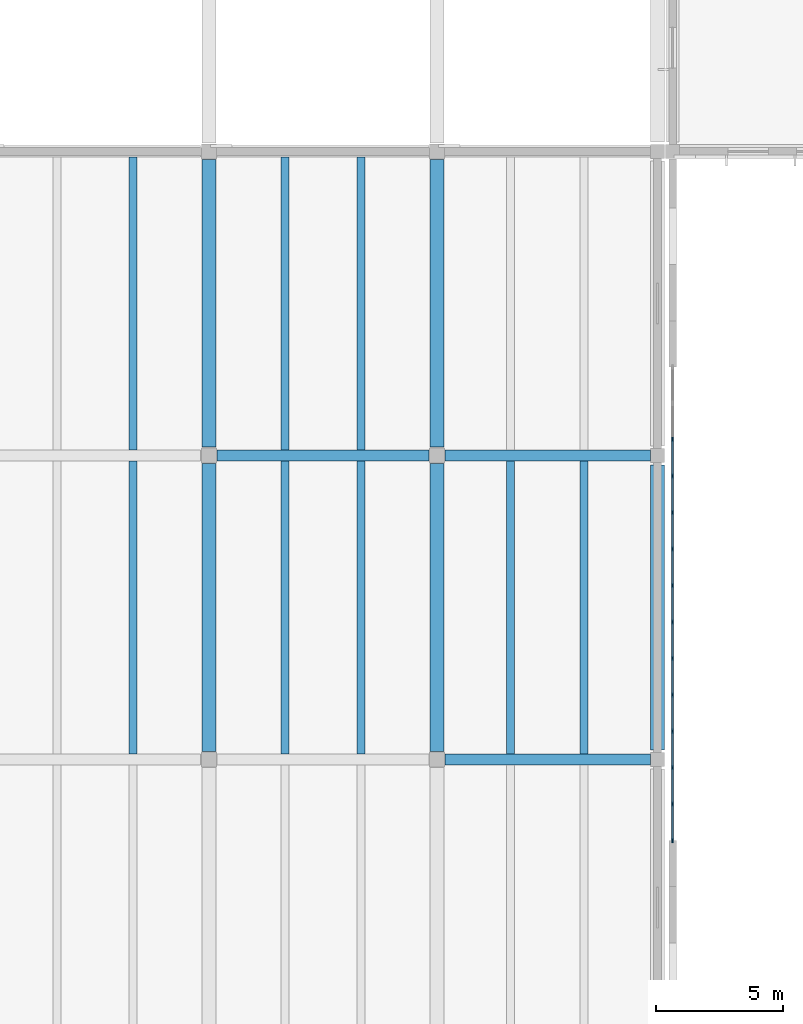
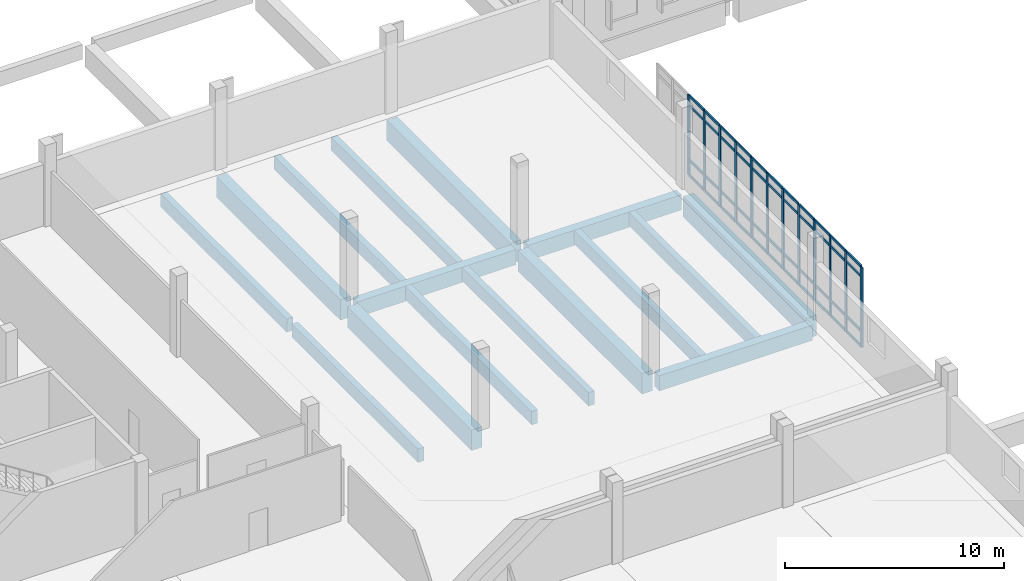
# One storey, part 10 of 63: 56 members, 16 beams, 1 element without a shape of its own.
"""IFC4 building model written with IfcOpenShell, lengths in metres."""

from ifc_helpers import new_model, si_unit, direction, frame, origin, origin_2d, place, context, subcontext, project, spatial, rectangle, extrude, material, layer, layer_set, material_profile, profile_set, type_object, element, aggregate, save


model = new_model("IFC4")

# Units and contexts
model_context = context("Model", 3, precision=1e-05, world=origin(), true_north=direction((0.0, 1.0)))
body_context = subcontext(model_context, "Body", "Model", "MODEL_VIEW")
ifc_project = project(units=[si_unit("LENGTHUNIT", "METRE"), si_unit("AREAUNIT", "SQUARE_METRE"), si_unit("VOLUMEUNIT", "CUBIC_METRE"), si_unit("PLANEANGLEUNIT", "RADIAN"), si_unit("MASSUNIT", "GRAM", prefix="KILO")], contexts=[model_context])

# Site, building, storey
site_placement = place(None, origin())
site = spatial("IfcSite", under=ifc_project, at=site_placement, CompositionType="ELEMENT")
building_placement = place(site_placement, origin())
building = spatial("IfcBuilding", under=site, at=building_placement, Name="Zacnel Wholesale Market", CompositionType="ELEMENT")
storey_placement = place(building_placement, frame((0.0, 0.0, 11.199951171875)))
storey = spatial("IfcBuildingStorey", under=building, at=storey_placement, Name="L03", CompositionType="ELEMENT", Elevation=11.199951171875)

# Beams
ifc_material_1 = material(Name="Precast concrete C45/55", Category="concrete")
ifc_material_profile_1 = material_profile(ifc_material_1, rectangle(XDim=0.320068359375, YDim=0.75, at=origin_2d()), Name="DT RIB 320x750")
ifc_profile_set_1 = profile_set([ifc_material_profile_1], Name="Precast concrete C45/55")
beam_type_1 = type_object("IfcBeamType", Name="BM-DT750", PredefinedType="JOIST", material=ifc_profile_set_1)
for number, where, z_axis, x_axis, name in (
    (1, (51.0, 108.22509765625, -0.675048828125), (0.0, 1.0, 0.0), (-1.0, 0.0, 0.0), "Precast secondary joist L03-0588"),
    (2, (57.0, 108.22509765625, -0.675048828125), (0.0, 1.0, 0.0), (-1.0, 0.0, 0.0), "Precast secondary joist L03-0589"),
    (3, (60.0, 108.22509765625, -0.675048828125), (0.0, 1.0, 0.0), (-1.0, 0.0, 0.0), "Precast secondary joist L03-0590"),
    (4, (65.89990234375, 108.22509765625, -0.675048828125), (0.0, 1.0, 0.0), (-1.0, 0.0, 0.0), "Precast secondary joist L03-0591"),
    (5, (68.800048828125, 108.22509765625, -0.675048828125), (0.0, 1.0, 0.0), (-1.0, 0.0, 0.0), "Precast secondary joist L03-0592"),
    (6, (51.0, 120.22509765625, -0.675048828125), (0.0, 1.0, 0.0), (-1.0, 0.0, 0.0), "Precast secondary joist L03-0600"),
    (7, (57.0, 120.22509765625, -0.675048828125), (0.0, 1.0, 0.0), (-1.0, 0.0, 0.0), "Precast secondary joist L03-0601"),
    (8, (60.0, 120.22509765625, -0.675048828125), (0.0, 1.0, 0.0), (-1.0, 0.0, 0.0), "Precast secondary joist L03-0602"),
):
    element("IfcBeam", number, at=place(storey_placement, frame(where, z_axis=z_axis, x_axis=x_axis)), inside=storey, type_object=beam_type_1, Name=name, PredefinedType="JOIST", context=body_context, shape_type="SweptSolid", body=[
        extrude(rectangle(XDim=0.320068359375, YDim=0.75, at=origin_2d()), origin(), (0.0, 0.0, 1.0), 11.5498046875),
    ])
ifc_material_2 = material(Name="Precast concrete C45/55", Category="concrete")
ifc_material_profile_2 = material_profile(ifc_material_2, rectangle(XDim=0.550048828125, YDim=1.14990234375, at=origin_2d()), Name="PG 550x1150")
ifc_profile_set_2 = profile_set([ifc_material_profile_2], Name="Precast concrete C45/55")
beam_type_2 = type_object("IfcBeamType", Name="BM-PG1150", PredefinedType="T_BEAM", material=ifc_profile_set_2)
for number, where, z_axis, x_axis, name in (
    (9, (54.0, 108.324951171875, -0.875), (0.0, 1.0, 0.0), (-1.0, 0.0, 0.0), "Precast girder Y-0856"),
    (10, (54.0, 120.324951171875, -0.875), (0.0, 1.0, 0.0), (-1.0, 0.0, 0.0), "Precast girder Y-0857"),
    (11, (63.0, 108.324951171875, -0.875), (0.0, 1.0, 0.0), (-1.0, 0.0, 0.0), "Precast girder Y-0868"),
    (12, (63.0, 120.324951171875, -0.875), (0.0, 1.0, 0.0), (-1.0, 0.0, 0.0), "Precast girder Y-0869"),
):
    element("IfcBeam", number, at=place(storey_placement, frame(where, z_axis=z_axis, x_axis=x_axis)), inside=storey, type_object=beam_type_2, Name=name, PredefinedType="T_BEAM", context=body_context, shape_type="SweptSolid", body=[
        extrude(rectangle(XDim=0.550048828125, YDim=1.14990234375, at=origin_2d()), origin(), (0.0, 0.0, 1.0), 11.35009765625),
    ])
beam_1_placement = place(storey_placement, frame((71.699951171875, 108.375, -0.875), z_axis=(0.0, 1.0, 0.0), x_axis=(-1.0, 0.0, 0.0)))
element("IfcBeam", 13, at=beam_1_placement, inside=storey, type_object=beam_type_2, Name="Precast girder Y-0880", PredefinedType="T_BEAM", context=body_context, shape_type="SweptSolid", body=[
    extrude(rectangle(XDim=0.550048828125, YDim=1.14990234375, at=origin_2d()), origin(), (0.0, 0.0, 1.0), 11.25),
])
ifc_material_3 = material(Name="Precast concrete C45/55", Category="concrete")
ifc_material_profile_3 = material_profile(ifc_material_3, rectangle(XDim=0.449951171875, YDim=0.85009765625, at=origin_2d()), Name="PG 450x850")
ifc_profile_set_3 = profile_set([ifc_material_profile_3], Name="Precast concrete C45/55")
beam_type_3 = type_object("IfcBeamType", Name="BM-PG850", PredefinedType="BEAM", material=ifc_profile_set_3)
beam_2_placement = place(storey_placement, frame((63.324951171875, 108.0, -0.724853515625), z_axis=(1.0, 0.0, 0.0), x_axis=(0.0, 1.0, 0.0)))
element("IfcBeam", 14, at=beam_2_placement, inside=storey, type_object=beam_type_3, Name="Precast girder X-0754", PredefinedType="BEAM", context=body_context, shape_type="SweptSolid", body=[
    extrude(rectangle(XDim=0.449951171875, YDim=0.85009765625, at=origin_2d()), origin(), (0.0, 0.0, 1.0), 8.10009765625),
])
beam_3_placement = place(storey_placement, frame((54.324951171875, 120.0, -0.724853515625), z_axis=(1.0, 0.0, 0.0), x_axis=(0.0, 1.0, 0.0)))
element("IfcBeam", 15, at=beam_3_placement, inside=storey, type_object=beam_type_3, Name="Precast girder X-0759", PredefinedType="BEAM", context=body_context, shape_type="SweptSolid", body=[
    extrude(rectangle(XDim=0.449951171875, YDim=0.85009765625, at=origin_2d()), origin(), (0.0, 0.0, 1.0), 8.35009765625),
])
beam_4_placement = place(storey_placement, frame((63.324951171875, 120.0, -0.724853515625), z_axis=(1.0, 0.0, 0.0), x_axis=(0.0, 1.0, 0.0)))
element("IfcBeam", 16, at=beam_4_placement, inside=storey, type_object=beam_type_3, Name="Precast girder X-0760", PredefinedType="BEAM", context=body_context, shape_type="SweptSolid", body=[
    extrude(rectangle(XDim=0.449951171875, YDim=0.85009765625, at=origin_2d()), origin(), (0.0, 0.0, 1.0), 8.10009765625),
])

# Curtain wall, members
ifc_material_4 = material(Name="Anodised aluminium", Category="aluminium")
ifc_layer = layer(ifc_material_4, 0.159912109375)
ifc_layer_set = layer_set([ifc_layer], Name="Anodised aluminium")
curtain_wall_type = type_object("IfcCurtainWallType", Name="CW-NAVE-4200", PredefinedType="NOTDEFINED", material=ifc_layer_set)
curtain_wall_placement = place(storey_placement, origin())
curtain_wall = element("IfcCurtainWall", 17, at=curtain_wall_placement, inside=storey, type_object=curtain_wall_type, Name="Curtain wall ENV-CW-GABLE-NW-W", PredefinedType="NOTDEFINED")
ifc_material_5 = material(Name="Anodised aluminium", Category="aluminium")
ifc_material_profile_4 = material_profile(ifc_material_5, rectangle(XDim=0.06494140625, YDim=0.179931640625, at=origin_2d()), Name="AW-MULLION 65x180")
ifc_profile_set_4 = profile_set([ifc_material_profile_4], Name="Anodised aluminium")
member_type_1 = type_object("IfcMemberType", Name="CWM-MUL-03", PredefinedType="MULLION", material=ifc_profile_set_4)
member_1_placement = place(storey_placement, frame((72.300048828125, 104.800048828125, 0.0), z_axis=(0.0, 0.0, 1.0), x_axis=(1.0, 0.0, 0.0)))
member_1 = element("IfcMember", 18, at=member_1_placement, type_object=member_type_1, Name="ENV-CW-GABLE-NW-W mullion 01", PredefinedType="MULLION", context=body_context, shape_type="SweptSolid", body=[
    extrude(rectangle(XDim=0.06494140625, YDim=0.179931640625, at=origin_2d()), origin(), (0.0, 0.0, 1.0), 4.449951171875),
])
member_2_placement = place(storey_placement, frame((72.300048828125, 106.238525390625, 0.0), z_axis=(0.0, 0.0, 1.0), x_axis=(1.0, 0.0, 0.0)))
member_2 = element("IfcMember", 19, at=member_2_placement, type_object=member_type_1, Name="ENV-CW-GABLE-NW-W mullion 02", PredefinedType="MULLION", context=body_context, shape_type="SweptSolid", body=[
    extrude(rectangle(XDim=0.06494140625, YDim=0.179931640625, at=origin_2d()), origin(), (0.0, 0.0, 1.0), 4.449951171875),
])
member_3_placement = place(storey_placement, frame((72.300048828125, 107.677001953125, 0.0), z_axis=(0.0, 0.0, 1.0), x_axis=(1.0, 0.0, 0.0)))
member_3 = element("IfcMember", 20, at=member_3_placement, type_object=member_type_1, Name="ENV-CW-GABLE-NW-W mullion 03", PredefinedType="MULLION", context=body_context, shape_type="SweptSolid", body=[
    extrude(rectangle(XDim=0.06494140625, YDim=0.179931640625, at=origin_2d()), origin(), (0.0, 0.0, 1.0), 4.449951171875),
])
member_4_placement = place(storey_placement, frame((72.300048828125, 109.115478515625, 0.0), z_axis=(0.0, 0.0, 1.0), x_axis=(1.0, 0.0, 0.0)))
member_4 = element("IfcMember", 21, at=member_4_placement, type_object=member_type_1, Name="ENV-CW-GABLE-NW-W mullion 04", PredefinedType="MULLION", context=body_context, shape_type="SweptSolid", body=[
    extrude(rectangle(XDim=0.06494140625, YDim=0.179931640625, at=origin_2d()), origin(), (0.0, 0.0, 1.0), 4.449951171875),
])
member_5_placement = place(storey_placement, frame((72.300048828125, 110.5537109375, 0.0), z_axis=(0.0, 0.0, 1.0), x_axis=(1.0, 0.0, 0.0)))
member_5 = element("IfcMember", 22, at=member_5_placement, type_object=member_type_1, Name="ENV-CW-GABLE-NW-W mullion 05", PredefinedType="MULLION", context=body_context, shape_type="SweptSolid", body=[
    extrude(rectangle(XDim=0.06494140625, YDim=0.179931640625, at=origin_2d()), origin(), (0.0, 0.0, 1.0), 4.449951171875),
])
member_6_placement = place(storey_placement, frame((72.300048828125, 111.9921875, 0.0), z_axis=(0.0, 0.0, 1.0), x_axis=(1.0, 0.0, 0.0)))
member_6 = element("IfcMember", 23, at=member_6_placement, type_object=member_type_1, Name="ENV-CW-GABLE-NW-W mullion 06", PredefinedType="MULLION", context=body_context, shape_type="SweptSolid", body=[
    extrude(rectangle(XDim=0.06494140625, YDim=0.179931640625, at=origin_2d()), origin(), (0.0, 0.0, 1.0), 4.449951171875),
])
member_7_placement = place(storey_placement, frame((72.300048828125, 113.430908203125, 0.0), z_axis=(0.0, 0.0, 1.0), x_axis=(1.0, 0.0, 0.0)))
member_7 = element("IfcMember", 24, at=member_7_placement, type_object=member_type_1, Name="ENV-CW-GABLE-NW-W mullion 07", PredefinedType="MULLION", context=body_context, shape_type="SweptSolid", body=[
    extrude(rectangle(XDim=0.06494140625, YDim=0.179931640625, at=origin_2d()), origin(), (0.0, 0.0, 1.0), 4.449951171875),
])
member_8_placement = place(storey_placement, frame((72.300048828125, 114.869140625, 0.0), z_axis=(0.0, 0.0, 1.0), x_axis=(1.0, 0.0, 0.0)))
member_8 = element("IfcMember", 25, at=member_8_placement, type_object=member_type_1, Name="ENV-CW-GABLE-NW-W mullion 08", PredefinedType="MULLION", context=body_context, shape_type="SweptSolid", body=[
    extrude(rectangle(XDim=0.06494140625, YDim=0.179931640625, at=origin_2d()), origin(), (0.0, 0.0, 1.0), 4.449951171875),
])
member_9_placement = place(storey_placement, frame((72.300048828125, 116.3076171875, 0.0), z_axis=(0.0, 0.0, 1.0), x_axis=(1.0, 0.0, 0.0)))
member_9 = element("IfcMember", 26, at=member_9_placement, type_object=member_type_1, Name="ENV-CW-GABLE-NW-W mullion 09", PredefinedType="MULLION", context=body_context, shape_type="SweptSolid", body=[
    extrude(rectangle(XDim=0.06494140625, YDim=0.179931640625, at=origin_2d()), origin(), (0.0, 0.0, 1.0), 4.449951171875),
])
member_10_placement = place(storey_placement, frame((72.300048828125, 117.74609375, 0.0), z_axis=(0.0, 0.0, 1.0), x_axis=(1.0, 0.0, 0.0)))
member_10 = element("IfcMember", 27, at=member_10_placement, type_object=member_type_1, Name="ENV-CW-GABLE-NW-W mullion 10", PredefinedType="MULLION", context=body_context, shape_type="SweptSolid", body=[
    extrude(rectangle(XDim=0.06494140625, YDim=0.179931640625, at=origin_2d()), origin(), (0.0, 0.0, 1.0), 4.449951171875),
])
member_11_placement = place(storey_placement, frame((72.300048828125, 119.1845703125, 0.0), z_axis=(0.0, 0.0, 1.0), x_axis=(1.0, 0.0, 0.0)))
member_11 = element("IfcMember", 28, at=member_11_placement, type_object=member_type_1, Name="ENV-CW-GABLE-NW-W mullion 11", PredefinedType="MULLION", context=body_context, shape_type="SweptSolid", body=[
    extrude(rectangle(XDim=0.06494140625, YDim=0.179931640625, at=origin_2d()), origin(), (0.0, 0.0, 1.0), 4.449951171875),
])
member_12_placement = place(storey_placement, frame((72.300048828125, 120.623046875, 0.0), z_axis=(0.0, 0.0, 1.0), x_axis=(1.0, 0.0, 0.0)))
member_12 = element("IfcMember", 29, at=member_12_placement, type_object=member_type_1, Name="ENV-CW-GABLE-NW-W mullion 12", PredefinedType="MULLION", context=body_context, shape_type="SweptSolid", body=[
    extrude(rectangle(XDim=0.06494140625, YDim=0.179931640625, at=origin_2d()), origin(), (0.0, 0.0, 1.0), 4.449951171875),
])
ifc_material_6 = material(Name="Anodised aluminium", Category="aluminium")
ifc_material_profile_5 = material_profile(ifc_material_6, rectangle(XDim=0.06494140625, YDim=0.139892578125, at=origin_2d()), Name="AW-TRANSOM 65x140")
ifc_profile_set_5 = profile_set([ifc_material_profile_5], Name="Anodised aluminium")
member_type_2 = type_object("IfcMemberType", Name="CWM-TRN-03", PredefinedType="USERDEFINED", material=ifc_profile_set_5)
member_13_placement = place(storey_placement, frame((72.300048828125, 104.8349609375, 0.0), z_axis=(0.0, 1.0, 0.0), x_axis=(-1.0, 0.0, 0.0)))
member_13 = element("IfcMember", 30, at=member_13_placement, type_object=member_type_2, Name="ENV-CW-GABLE-NW-W transom 1-1", ObjectType="TRANSOM", PredefinedType="USERDEFINED", context=body_context, shape_type="SweptSolid", body=[
    extrude(rectangle(XDim=0.06494140625, YDim=0.139892578125, at=origin_2d()), origin(), (0.0, 0.0, 1.0), 1.36865234375),
])
member_14_placement = place(storey_placement, frame((72.300048828125, 104.8349609375, 0.85009765625), z_axis=(0.0, 1.0, 0.0), x_axis=(-1.0, 0.0, 0.0)))
member_14 = element("IfcMember", 31, at=member_14_placement, type_object=member_type_2, Name="ENV-CW-GABLE-NW-W transom 1-2", ObjectType="TRANSOM", PredefinedType="USERDEFINED", context=body_context, shape_type="SweptSolid", body=[
    extrude(rectangle(XDim=0.06494140625, YDim=0.139892578125, at=origin_2d()), origin(), (0.0, 0.0, 1.0), 1.36865234375),
])
member_15_placement = place(storey_placement, frame((72.300048828125, 104.8349609375, 3.900146484375), z_axis=(0.0, 1.0, 0.0), x_axis=(-1.0, 0.0, 0.0)))
member_15 = element("IfcMember", 32, at=member_15_placement, type_object=member_type_2, Name="ENV-CW-GABLE-NW-W transom 1-3", ObjectType="TRANSOM", PredefinedType="USERDEFINED", context=body_context, shape_type="SweptSolid", body=[
    extrude(rectangle(XDim=0.06494140625, YDim=0.139892578125, at=origin_2d()), origin(), (0.0, 0.0, 1.0), 1.36865234375),
])
member_16_placement = place(storey_placement, frame((72.300048828125, 104.8349609375, 4.449951171875), z_axis=(0.0, 1.0, 0.0), x_axis=(-1.0, 0.0, 0.0)))
member_16 = element("IfcMember", 33, at=member_16_placement, type_object=member_type_2, Name="ENV-CW-GABLE-NW-W transom 1-4", ObjectType="TRANSOM", PredefinedType="USERDEFINED", context=body_context, shape_type="SweptSolid", body=[
    extrude(rectangle(XDim=0.06494140625, YDim=0.139892578125, at=origin_2d()), origin(), (0.0, 0.0, 1.0), 1.36865234375),
])
member_17_placement = place(storey_placement, frame((72.300048828125, 106.2734375, 0.0), z_axis=(0.0, 1.0, 0.0), x_axis=(-1.0, 0.0, 0.0)))
member_17 = element("IfcMember", 34, at=member_17_placement, type_object=member_type_2, Name="ENV-CW-GABLE-NW-W transom 2-1", ObjectType="TRANSOM", PredefinedType="USERDEFINED", context=body_context, shape_type="SweptSolid", body=[
    extrude(rectangle(XDim=0.06494140625, YDim=0.139892578125, at=origin_2d()), origin(), (0.0, 0.0, 1.0), 1.368408203125),
])
member_18_placement = place(storey_placement, frame((72.300048828125, 106.2734375, 0.85009765625), z_axis=(0.0, 1.0, 0.0), x_axis=(-1.0, 0.0, 0.0)))
member_18 = element("IfcMember", 35, at=member_18_placement, type_object=member_type_2, Name="ENV-CW-GABLE-NW-W transom 2-2", ObjectType="TRANSOM", PredefinedType="USERDEFINED", context=body_context, shape_type="SweptSolid", body=[
    extrude(rectangle(XDim=0.06494140625, YDim=0.139892578125, at=origin_2d()), origin(), (0.0, 0.0, 1.0), 1.368408203125),
])
member_19_placement = place(storey_placement, frame((72.300048828125, 106.2734375, 3.900146484375), z_axis=(0.0, 1.0, 0.0), x_axis=(-1.0, 0.0, 0.0)))
member_19 = element("IfcMember", 36, at=member_19_placement, type_object=member_type_2, Name="ENV-CW-GABLE-NW-W transom 2-3", ObjectType="TRANSOM", PredefinedType="USERDEFINED", context=body_context, shape_type="SweptSolid", body=[
    extrude(rectangle(XDim=0.06494140625, YDim=0.139892578125, at=origin_2d()), origin(), (0.0, 0.0, 1.0), 1.368408203125),
])
member_20_placement = place(storey_placement, frame((72.300048828125, 106.2734375, 4.449951171875), z_axis=(0.0, 1.0, 0.0), x_axis=(-1.0, 0.0, 0.0)))
member_20 = element("IfcMember", 37, at=member_20_placement, type_object=member_type_2, Name="ENV-CW-GABLE-NW-W transom 2-4", ObjectType="TRANSOM", PredefinedType="USERDEFINED", context=body_context, shape_type="SweptSolid", body=[
    extrude(rectangle(XDim=0.06494140625, YDim=0.139892578125, at=origin_2d()), origin(), (0.0, 0.0, 1.0), 1.368408203125),
])
member_21_placement = place(storey_placement, frame((72.300048828125, 107.7119140625, 0.0), z_axis=(0.0, 1.0, 0.0), x_axis=(-1.0, 0.0, 0.0)))
member_21 = element("IfcMember", 38, at=member_21_placement, type_object=member_type_2, Name="ENV-CW-GABLE-NW-W transom 3-1", ObjectType="TRANSOM", PredefinedType="USERDEFINED", context=body_context, shape_type="SweptSolid", body=[
    extrude(rectangle(XDim=0.06494140625, YDim=0.139892578125, at=origin_2d()), origin(), (0.0, 0.0, 1.0), 1.368408203125),
])
member_22_placement = place(storey_placement, frame((72.300048828125, 107.7119140625, 0.85009765625), z_axis=(0.0, 1.0, 0.0), x_axis=(-1.0, 0.0, 0.0)))
member_22 = element("IfcMember", 39, at=member_22_placement, type_object=member_type_2, Name="ENV-CW-GABLE-NW-W transom 3-2", ObjectType="TRANSOM", PredefinedType="USERDEFINED", context=body_context, shape_type="SweptSolid", body=[
    extrude(rectangle(XDim=0.06494140625, YDim=0.139892578125, at=origin_2d()), origin(), (0.0, 0.0, 1.0), 1.368408203125),
])
member_23_placement = place(storey_placement, frame((72.300048828125, 107.7119140625, 3.900146484375), z_axis=(0.0, 1.0, 0.0), x_axis=(-1.0, 0.0, 0.0)))
member_23 = element("IfcMember", 40, at=member_23_placement, type_object=member_type_2, Name="ENV-CW-GABLE-NW-W transom 3-3", ObjectType="TRANSOM", PredefinedType="USERDEFINED", context=body_context, shape_type="SweptSolid", body=[
    extrude(rectangle(XDim=0.06494140625, YDim=0.139892578125, at=origin_2d()), origin(), (0.0, 0.0, 1.0), 1.368408203125),
])
member_24_placement = place(storey_placement, frame((72.300048828125, 107.7119140625, 4.449951171875), z_axis=(0.0, 1.0, 0.0), x_axis=(-1.0, 0.0, 0.0)))
member_24 = element("IfcMember", 41, at=member_24_placement, type_object=member_type_2, Name="ENV-CW-GABLE-NW-W transom 3-4", ObjectType="TRANSOM", PredefinedType="USERDEFINED", context=body_context, shape_type="SweptSolid", body=[
    extrude(rectangle(XDim=0.06494140625, YDim=0.139892578125, at=origin_2d()), origin(), (0.0, 0.0, 1.0), 1.368408203125),
])
member_25_placement = place(storey_placement, frame((72.300048828125, 109.150390625, 0.0), z_axis=(0.0, 1.0, 0.0), x_axis=(-1.0, 0.0, 0.0)))
member_25 = element("IfcMember", 42, at=member_25_placement, type_object=member_type_2, Name="ENV-CW-GABLE-NW-W transom 4-1", ObjectType="TRANSOM", PredefinedType="USERDEFINED", context=body_context, shape_type="SweptSolid", body=[
    extrude(rectangle(XDim=0.06494140625, YDim=0.139892578125, at=origin_2d()), origin(), (0.0, 0.0, 1.0), 1.368408203125),
])
member_26_placement = place(storey_placement, frame((72.300048828125, 109.150390625, 0.85009765625), z_axis=(0.0, 1.0, 0.0), x_axis=(-1.0, 0.0, 0.0)))
member_26 = element("IfcMember", 43, at=member_26_placement, type_object=member_type_2, Name="ENV-CW-GABLE-NW-W transom 4-2", ObjectType="TRANSOM", PredefinedType="USERDEFINED", context=body_context, shape_type="SweptSolid", body=[
    extrude(rectangle(XDim=0.06494140625, YDim=0.139892578125, at=origin_2d()), origin(), (0.0, 0.0, 1.0), 1.368408203125),
])
member_27_placement = place(storey_placement, frame((72.300048828125, 109.150390625, 3.900146484375), z_axis=(0.0, 1.0, 0.0), x_axis=(-1.0, 0.0, 0.0)))
member_27 = element("IfcMember", 44, at=member_27_placement, type_object=member_type_2, Name="ENV-CW-GABLE-NW-W transom 4-3", ObjectType="TRANSOM", PredefinedType="USERDEFINED", context=body_context, shape_type="SweptSolid", body=[
    extrude(rectangle(XDim=0.06494140625, YDim=0.139892578125, at=origin_2d()), origin(), (0.0, 0.0, 1.0), 1.368408203125),
])
member_28_placement = place(storey_placement, frame((72.300048828125, 109.150390625, 4.449951171875), z_axis=(0.0, 1.0, 0.0), x_axis=(-1.0, 0.0, 0.0)))
member_28 = element("IfcMember", 45, at=member_28_placement, type_object=member_type_2, Name="ENV-CW-GABLE-NW-W transom 4-4", ObjectType="TRANSOM", PredefinedType="USERDEFINED", context=body_context, shape_type="SweptSolid", body=[
    extrude(rectangle(XDim=0.06494140625, YDim=0.139892578125, at=origin_2d()), origin(), (0.0, 0.0, 1.0), 1.368408203125),
])
member_29_placement = place(storey_placement, frame((72.300048828125, 110.5888671875, 0.0), z_axis=(0.0, 1.0, 0.0), x_axis=(-1.0, 0.0, 0.0)))
member_29 = element("IfcMember", 46, at=member_29_placement, type_object=member_type_2, Name="ENV-CW-GABLE-NW-W transom 5-1", ObjectType="TRANSOM", PredefinedType="USERDEFINED", context=body_context, shape_type="SweptSolid", body=[
    extrude(rectangle(XDim=0.06494140625, YDim=0.139892578125, at=origin_2d()), origin(), (0.0, 0.0, 1.0), 1.368408203125),
])
member_30_placement = place(storey_placement, frame((72.300048828125, 110.5888671875, 0.85009765625), z_axis=(0.0, 1.0, 0.0), x_axis=(-1.0, 0.0, 0.0)))
member_30 = element("IfcMember", 47, at=member_30_placement, type_object=member_type_2, Name="ENV-CW-GABLE-NW-W transom 5-2", ObjectType="TRANSOM", PredefinedType="USERDEFINED", context=body_context, shape_type="SweptSolid", body=[
    extrude(rectangle(XDim=0.06494140625, YDim=0.139892578125, at=origin_2d()), origin(), (0.0, 0.0, 1.0), 1.368408203125),
])
member_31_placement = place(storey_placement, frame((72.300048828125, 110.5888671875, 3.900146484375), z_axis=(0.0, 1.0, 0.0), x_axis=(-1.0, 0.0, 0.0)))
member_31 = element("IfcMember", 48, at=member_31_placement, type_object=member_type_2, Name="ENV-CW-GABLE-NW-W transom 5-3", ObjectType="TRANSOM", PredefinedType="USERDEFINED", context=body_context, shape_type="SweptSolid", body=[
    extrude(rectangle(XDim=0.06494140625, YDim=0.139892578125, at=origin_2d()), origin(), (0.0, 0.0, 1.0), 1.368408203125),
])
member_32_placement = place(storey_placement, frame((72.300048828125, 110.5888671875, 4.449951171875), z_axis=(0.0, 1.0, 0.0), x_axis=(-1.0, 0.0, 0.0)))
member_32 = element("IfcMember", 49, at=member_32_placement, type_object=member_type_2, Name="ENV-CW-GABLE-NW-W transom 5-4", ObjectType="TRANSOM", PredefinedType="USERDEFINED", context=body_context, shape_type="SweptSolid", body=[
    extrude(rectangle(XDim=0.06494140625, YDim=0.139892578125, at=origin_2d()), origin(), (0.0, 0.0, 1.0), 1.368408203125),
])
member_33_placement = place(storey_placement, frame((72.300048828125, 112.02734375, 0.0), z_axis=(0.0, 1.0, 0.0), x_axis=(-1.0, 0.0, 0.0)))
member_33 = element("IfcMember", 50, at=member_33_placement, type_object=member_type_2, Name="ENV-CW-GABLE-NW-W transom 6-1", ObjectType="TRANSOM", PredefinedType="USERDEFINED", context=body_context, shape_type="SweptSolid", body=[
    extrude(rectangle(XDim=0.06494140625, YDim=0.139892578125, at=origin_2d()), origin(), (0.0, 0.0, 1.0), 1.368408203125),
])
member_34_placement = place(storey_placement, frame((72.300048828125, 112.02734375, 0.85009765625), z_axis=(0.0, 1.0, 0.0), x_axis=(-1.0, 0.0, 0.0)))
member_34 = element("IfcMember", 51, at=member_34_placement, type_object=member_type_2, Name="ENV-CW-GABLE-NW-W transom 6-2", ObjectType="TRANSOM", PredefinedType="USERDEFINED", context=body_context, shape_type="SweptSolid", body=[
    extrude(rectangle(XDim=0.06494140625, YDim=0.139892578125, at=origin_2d()), origin(), (0.0, 0.0, 1.0), 1.368408203125),
])
member_35_placement = place(storey_placement, frame((72.300048828125, 112.02734375, 3.900146484375), z_axis=(0.0, 1.0, 0.0), x_axis=(-1.0, 0.0, 0.0)))
member_35 = element("IfcMember", 52, at=member_35_placement, type_object=member_type_2, Name="ENV-CW-GABLE-NW-W transom 6-3", ObjectType="TRANSOM", PredefinedType="USERDEFINED", context=body_context, shape_type="SweptSolid", body=[
    extrude(rectangle(XDim=0.06494140625, YDim=0.139892578125, at=origin_2d()), origin(), (0.0, 0.0, 1.0), 1.368408203125),
])
member_36_placement = place(storey_placement, frame((72.300048828125, 112.02734375, 4.449951171875), z_axis=(0.0, 1.0, 0.0), x_axis=(-1.0, 0.0, 0.0)))
member_36 = element("IfcMember", 53, at=member_36_placement, type_object=member_type_2, Name="ENV-CW-GABLE-NW-W transom 6-4", ObjectType="TRANSOM", PredefinedType="USERDEFINED", context=body_context, shape_type="SweptSolid", body=[
    extrude(rectangle(XDim=0.06494140625, YDim=0.139892578125, at=origin_2d()), origin(), (0.0, 0.0, 1.0), 1.368408203125),
])
member_37_placement = place(storey_placement, frame((72.300048828125, 113.4658203125, 0.0), z_axis=(0.0, 1.0, 0.0), x_axis=(-1.0, 0.0, 0.0)))
member_37 = element("IfcMember", 54, at=member_37_placement, type_object=member_type_2, Name="ENV-CW-GABLE-NW-W transom 7-1", ObjectType="TRANSOM", PredefinedType="USERDEFINED", context=body_context, shape_type="SweptSolid", body=[
    extrude(rectangle(XDim=0.06494140625, YDim=0.139892578125, at=origin_2d()), origin(), (0.0, 0.0, 1.0), 1.368408203125),
])
member_38_placement = place(storey_placement, frame((72.300048828125, 113.4658203125, 0.85009765625), z_axis=(0.0, 1.0, 0.0), x_axis=(-1.0, 0.0, 0.0)))
member_38 = element("IfcMember", 55, at=member_38_placement, type_object=member_type_2, Name="ENV-CW-GABLE-NW-W transom 7-2", ObjectType="TRANSOM", PredefinedType="USERDEFINED", context=body_context, shape_type="SweptSolid", body=[
    extrude(rectangle(XDim=0.06494140625, YDim=0.139892578125, at=origin_2d()), origin(), (0.0, 0.0, 1.0), 1.368408203125),
])
member_39_placement = place(storey_placement, frame((72.300048828125, 113.4658203125, 3.900146484375), z_axis=(0.0, 1.0, 0.0), x_axis=(-1.0, 0.0, 0.0)))
member_39 = element("IfcMember", 56, at=member_39_placement, type_object=member_type_2, Name="ENV-CW-GABLE-NW-W transom 7-3", ObjectType="TRANSOM", PredefinedType="USERDEFINED", context=body_context, shape_type="SweptSolid", body=[
    extrude(rectangle(XDim=0.06494140625, YDim=0.139892578125, at=origin_2d()), origin(), (0.0, 0.0, 1.0), 1.368408203125),
])
member_40_placement = place(storey_placement, frame((72.300048828125, 113.4658203125, 4.449951171875), z_axis=(0.0, 1.0, 0.0), x_axis=(-1.0, 0.0, 0.0)))
member_40 = element("IfcMember", 57, at=member_40_placement, type_object=member_type_2, Name="ENV-CW-GABLE-NW-W transom 7-4", ObjectType="TRANSOM", PredefinedType="USERDEFINED", context=body_context, shape_type="SweptSolid", body=[
    extrude(rectangle(XDim=0.06494140625, YDim=0.139892578125, at=origin_2d()), origin(), (0.0, 0.0, 1.0), 1.368408203125),
])
member_41_placement = place(storey_placement, frame((72.300048828125, 114.904296875, 0.0), z_axis=(0.0, 1.0, 0.0), x_axis=(-1.0, 0.0, 0.0)))
member_41 = element("IfcMember", 58, at=member_41_placement, type_object=member_type_2, Name="ENV-CW-GABLE-NW-W transom 8-1", ObjectType="TRANSOM", PredefinedType="USERDEFINED", context=body_context, shape_type="SweptSolid", body=[
    extrude(rectangle(XDim=0.06494140625, YDim=0.139892578125, at=origin_2d()), origin(), (0.0, 0.0, 1.0), 1.368408203125),
])
member_42_placement = place(storey_placement, frame((72.300048828125, 114.904296875, 0.85009765625), z_axis=(0.0, 1.0, 0.0), x_axis=(-1.0, 0.0, 0.0)))
member_42 = element("IfcMember", 59, at=member_42_placement, type_object=member_type_2, Name="ENV-CW-GABLE-NW-W transom 8-2", ObjectType="TRANSOM", PredefinedType="USERDEFINED", context=body_context, shape_type="SweptSolid", body=[
    extrude(rectangle(XDim=0.06494140625, YDim=0.139892578125, at=origin_2d()), origin(), (0.0, 0.0, 1.0), 1.368408203125),
])
member_43_placement = place(storey_placement, frame((72.300048828125, 114.904296875, 3.900146484375), z_axis=(0.0, 1.0, 0.0), x_axis=(-1.0, 0.0, 0.0)))
member_43 = element("IfcMember", 60, at=member_43_placement, type_object=member_type_2, Name="ENV-CW-GABLE-NW-W transom 8-3", ObjectType="TRANSOM", PredefinedType="USERDEFINED", context=body_context, shape_type="SweptSolid", body=[
    extrude(rectangle(XDim=0.06494140625, YDim=0.139892578125, at=origin_2d()), origin(), (0.0, 0.0, 1.0), 1.368408203125),
])
member_44_placement = place(storey_placement, frame((72.300048828125, 114.904296875, 4.449951171875), z_axis=(0.0, 1.0, 0.0), x_axis=(-1.0, 0.0, 0.0)))
member_44 = element("IfcMember", 61, at=member_44_placement, type_object=member_type_2, Name="ENV-CW-GABLE-NW-W transom 8-4", ObjectType="TRANSOM", PredefinedType="USERDEFINED", context=body_context, shape_type="SweptSolid", body=[
    extrude(rectangle(XDim=0.06494140625, YDim=0.139892578125, at=origin_2d()), origin(), (0.0, 0.0, 1.0), 1.368408203125),
])
member_45_placement = place(storey_placement, frame((72.300048828125, 116.3427734375, 0.0), z_axis=(0.0, 1.0, 0.0), x_axis=(-1.0, 0.0, 0.0)))
member_45 = element("IfcMember", 62, at=member_45_placement, type_object=member_type_2, Name="ENV-CW-GABLE-NW-W transom 9-1", ObjectType="TRANSOM", PredefinedType="USERDEFINED", context=body_context, shape_type="SweptSolid", body=[
    extrude(rectangle(XDim=0.06494140625, YDim=0.139892578125, at=origin_2d()), origin(), (0.0, 0.0, 1.0), 1.368408203125),
])
member_46_placement = place(storey_placement, frame((72.300048828125, 116.3427734375, 0.85009765625), z_axis=(0.0, 1.0, 0.0), x_axis=(-1.0, 0.0, 0.0)))
member_46 = element("IfcMember", 63, at=member_46_placement, type_object=member_type_2, Name="ENV-CW-GABLE-NW-W transom 9-2", ObjectType="TRANSOM", PredefinedType="USERDEFINED", context=body_context, shape_type="SweptSolid", body=[
    extrude(rectangle(XDim=0.06494140625, YDim=0.139892578125, at=origin_2d()), origin(), (0.0, 0.0, 1.0), 1.368408203125),
])
member_47_placement = place(storey_placement, frame((72.300048828125, 116.3427734375, 3.900146484375), z_axis=(0.0, 1.0, 0.0), x_axis=(-1.0, 0.0, 0.0)))
member_47 = element("IfcMember", 64, at=member_47_placement, type_object=member_type_2, Name="ENV-CW-GABLE-NW-W transom 9-3", ObjectType="TRANSOM", PredefinedType="USERDEFINED", context=body_context, shape_type="SweptSolid", body=[
    extrude(rectangle(XDim=0.06494140625, YDim=0.139892578125, at=origin_2d()), origin(), (0.0, 0.0, 1.0), 1.368408203125),
])
member_48_placement = place(storey_placement, frame((72.300048828125, 116.3427734375, 4.449951171875), z_axis=(0.0, 1.0, 0.0), x_axis=(-1.0, 0.0, 0.0)))
member_48 = element("IfcMember", 65, at=member_48_placement, type_object=member_type_2, Name="ENV-CW-GABLE-NW-W transom 9-4", ObjectType="TRANSOM", PredefinedType="USERDEFINED", context=body_context, shape_type="SweptSolid", body=[
    extrude(rectangle(XDim=0.06494140625, YDim=0.139892578125, at=origin_2d()), origin(), (0.0, 0.0, 1.0), 1.368408203125),
])
member_49_placement = place(storey_placement, frame((72.300048828125, 117.78125, 0.0), z_axis=(0.0, 1.0, 0.0), x_axis=(-1.0, 0.0, 0.0)))
member_49 = element("IfcMember", 66, at=member_49_placement, type_object=member_type_2, Name="ENV-CW-GABLE-NW-W transom 10-1", ObjectType="TRANSOM", PredefinedType="USERDEFINED", context=body_context, shape_type="SweptSolid", body=[
    extrude(rectangle(XDim=0.06494140625, YDim=0.139892578125, at=origin_2d()), origin(), (0.0, 0.0, 1.0), 1.368408203125),
])
member_50_placement = place(storey_placement, frame((72.300048828125, 117.78125, 0.85009765625), z_axis=(0.0, 1.0, 0.0), x_axis=(-1.0, 0.0, 0.0)))
member_50 = element("IfcMember", 67, at=member_50_placement, type_object=member_type_2, Name="ENV-CW-GABLE-NW-W transom 10-2", ObjectType="TRANSOM", PredefinedType="USERDEFINED", context=body_context, shape_type="SweptSolid", body=[
    extrude(rectangle(XDim=0.06494140625, YDim=0.139892578125, at=origin_2d()), origin(), (0.0, 0.0, 1.0), 1.368408203125),
])
member_51_placement = place(storey_placement, frame((72.300048828125, 117.78125, 3.900146484375), z_axis=(0.0, 1.0, 0.0), x_axis=(-1.0, 0.0, 0.0)))
member_51 = element("IfcMember", 68, at=member_51_placement, type_object=member_type_2, Name="ENV-CW-GABLE-NW-W transom 10-3", ObjectType="TRANSOM", PredefinedType="USERDEFINED", context=body_context, shape_type="SweptSolid", body=[
    extrude(rectangle(XDim=0.06494140625, YDim=0.139892578125, at=origin_2d()), origin(), (0.0, 0.0, 1.0), 1.368408203125),
])
member_52_placement = place(storey_placement, frame((72.300048828125, 117.78125, 4.449951171875), z_axis=(0.0, 1.0, 0.0), x_axis=(-1.0, 0.0, 0.0)))
member_52 = element("IfcMember", 69, at=member_52_placement, type_object=member_type_2, Name="ENV-CW-GABLE-NW-W transom 10-4", ObjectType="TRANSOM", PredefinedType="USERDEFINED", context=body_context, shape_type="SweptSolid", body=[
    extrude(rectangle(XDim=0.06494140625, YDim=0.139892578125, at=origin_2d()), origin(), (0.0, 0.0, 1.0), 1.368408203125),
])
member_53_placement = place(storey_placement, frame((72.300048828125, 119.219482421875, 0.0), z_axis=(0.0, 1.0, 0.0), x_axis=(-1.0, 0.0, 0.0)))
member_53 = element("IfcMember", 70, at=member_53_placement, type_object=member_type_2, Name="ENV-CW-GABLE-NW-W transom 11-1", ObjectType="TRANSOM", PredefinedType="USERDEFINED", context=body_context, shape_type="SweptSolid", body=[
    extrude(rectangle(XDim=0.06494140625, YDim=0.139892578125, at=origin_2d()), origin(), (0.0, 0.0, 1.0), 1.36865234375),
])
member_54_placement = place(storey_placement, frame((72.300048828125, 119.219482421875, 0.85009765625), z_axis=(0.0, 1.0, 0.0), x_axis=(-1.0, 0.0, 0.0)))
member_54 = element("IfcMember", 71, at=member_54_placement, type_object=member_type_2, Name="ENV-CW-GABLE-NW-W transom 11-2", ObjectType="TRANSOM", PredefinedType="USERDEFINED", context=body_context, shape_type="SweptSolid", body=[
    extrude(rectangle(XDim=0.06494140625, YDim=0.139892578125, at=origin_2d()), origin(), (0.0, 0.0, 1.0), 1.36865234375),
])
member_55_placement = place(storey_placement, frame((72.300048828125, 119.219482421875, 3.900146484375), z_axis=(0.0, 1.0, 0.0), x_axis=(-1.0, 0.0, 0.0)))
member_55 = element("IfcMember", 72, at=member_55_placement, type_object=member_type_2, Name="ENV-CW-GABLE-NW-W transom 11-3", ObjectType="TRANSOM", PredefinedType="USERDEFINED", context=body_context, shape_type="SweptSolid", body=[
    extrude(rectangle(XDim=0.06494140625, YDim=0.139892578125, at=origin_2d()), origin(), (0.0, 0.0, 1.0), 1.36865234375),
])
member_56_placement = place(storey_placement, frame((72.300048828125, 119.219482421875, 4.449951171875), z_axis=(0.0, 1.0, 0.0), x_axis=(-1.0, 0.0, 0.0)))
member_56 = element("IfcMember", 73, at=member_56_placement, type_object=member_type_2, Name="ENV-CW-GABLE-NW-W transom 11-4", ObjectType="TRANSOM", PredefinedType="USERDEFINED", context=body_context, shape_type="SweptSolid", body=[
    extrude(rectangle(XDim=0.06494140625, YDim=0.139892578125, at=origin_2d()), origin(), (0.0, 0.0, 1.0), 1.36865234375),
])
aggregate(curtain_wall, [member_1, member_2, member_3, member_4, member_5, member_6, member_7, member_8, member_9, member_10, member_11, member_12, member_13, member_14, member_15, member_16, member_17, member_18, member_19, member_20, member_21, member_22, member_23, member_24, member_25, member_26, member_27, member_28, member_29, member_30, member_31, member_32, member_33, member_34, member_35, member_36, member_37, member_38, member_39, member_40, member_41, member_42, member_43, member_44, member_45, member_46, member_47, member_48, member_49, member_50, member_51, member_52, member_53, member_54, member_55, member_56])

save(model, "model.ifc")
